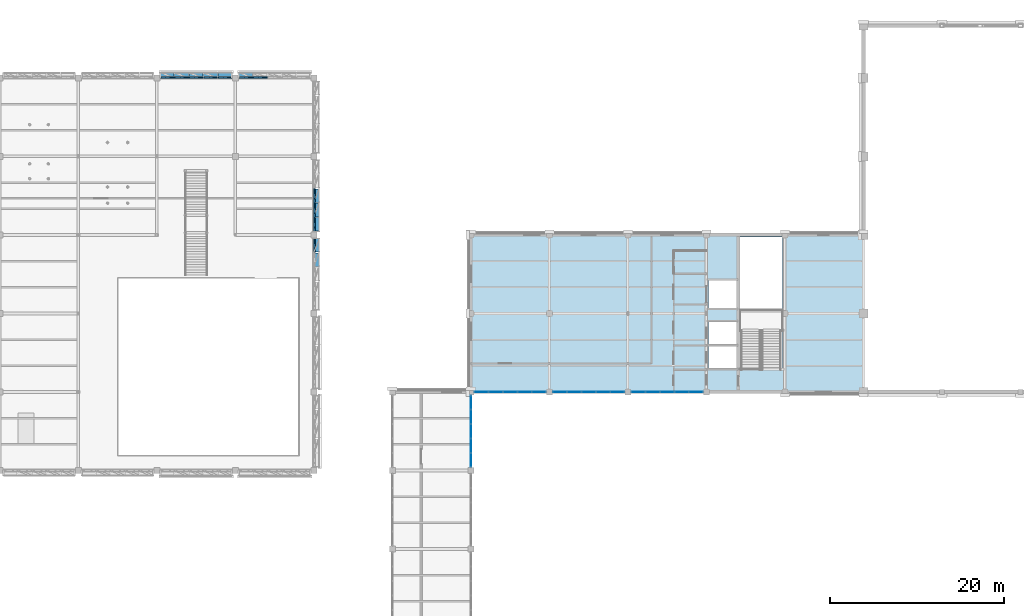
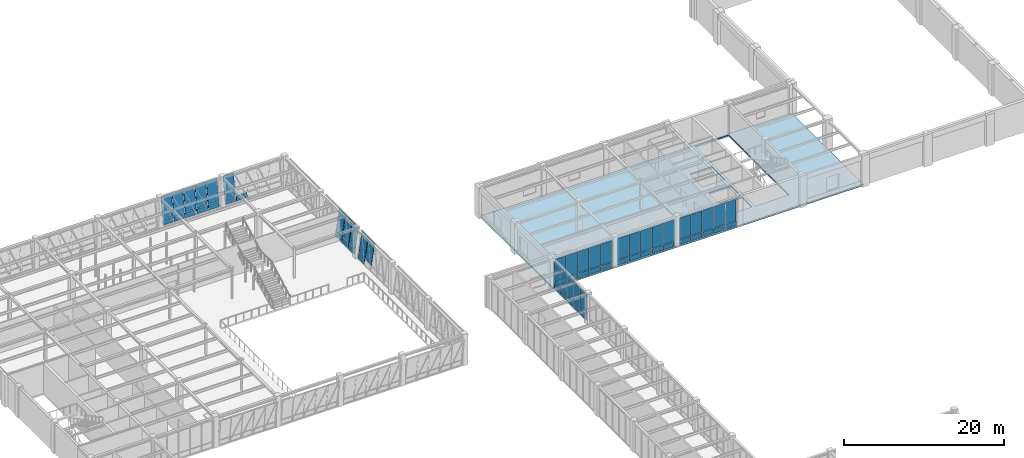
# One storey, part 74 of 92: 62 plates, 1 slab, 3 openings, 8 elements without a shape of their own.
"""IFC4 building model written with IfcOpenShell, lengths in metres."""

from ifc_helpers import new_model, si_unit, direction, frame, origin, origin_2d, place, context, subcontext, project, spatial, polyline, rectangle, outline, extrude, material, layer, layer_set, type_object, element, aggregate, save


model = new_model("IFC4")

# Units and contexts
model_context = context("Model", 3, precision=1e-05, world=origin(), true_north=direction((0.0, 1.0)))
body_context = subcontext(model_context, "Body", "Model", "MODEL_VIEW")
ifc_project = project(units=[si_unit("LENGTHUNIT", "METRE"), si_unit("AREAUNIT", "SQUARE_METRE"), si_unit("VOLUMEUNIT", "CUBIC_METRE"), si_unit("PLANEANGLEUNIT", "RADIAN"), si_unit("MASSUNIT", "GRAM", prefix="KILO")], contexts=[model_context])

# Site, building, storey
site_placement = place(None, origin())
site = spatial("IfcSite", under=ifc_project, at=site_placement, CompositionType="ELEMENT")
building_placement = place(site_placement, origin())
building = spatial("IfcBuilding", under=site, at=building_placement, Name="Lykobir Media Centre", CompositionType="ELEMENT")
storey_placement = place(building_placement, frame((0.0, 0.0, 5.39990234375)))
storey = spatial("IfcBuildingStorey", under=building, at=storey_placement, Name="L01", CompositionType="ELEMENT", Elevation=5.39990234375)

# Curtain wall, plates
ifc_material_1 = material(Name="Anodized Aluminium AW-6060", Category="aluminium")
curtain_wall_type_1 = type_object("IfcCurtainWallType", Name="CW-COURT-A", PredefinedType="NOTDEFINED", material=ifc_material_1)
curtain_wall_1_placement = place(storey_placement, origin())
curtain_wall_1 = element("IfcCurtainWall", 1, at=curtain_wall_1_placement, inside=storey, type_object=curtain_wall_type_1, Name="Curtain wall CW2-L01-0036", PredefinedType="NOTDEFINED")
ifc_material_2 = material(Name="Low-E Laminated Triple Glazing", Category="glass")
ifc_layer_1 = layer(ifc_material_2, 0.0380859375, Name="Low-E Laminated Triple Glazing")
ifc_layer_set_1 = layer_set([ifc_layer_1], Name="Low-E Laminated Triple Glazing")
plate_type_1 = type_object("IfcPlateType", Name="CWP-GLZ-38", PredefinedType="CURTAIN_PANEL", material=ifc_layer_set_1)
plate_1_placement = place(storey_placement, frame((99.0, 70.7998046875, 0.882568359375), z_axis=(0.0, 0.0, 1.0), x_axis=(0.0, -1.0, 0.0)))
plate_1 = element("IfcPlate", 2, at=plate_1_placement, type_object=plate_type_1, Name="CW2-L01-0036 panel 1.2", PredefinedType="CURTAIN_PANEL", context=body_context, shape_type="SweptSolid", body=[
    extrude(rectangle(XDim=1.560546875, YDim=0.0380859375, at=origin_2d()), origin(), (0.0, 0.0, 1.0), 3.24755859375),
])
plate_2_placement = place(storey_placement, frame((99.0, 69.157958984375, 0.882568359375), z_axis=(0.0, 0.0, 1.0), x_axis=(0.0, -1.0, 0.0)))
plate_2 = element("IfcPlate", 3, at=plate_2_placement, type_object=plate_type_1, Name="CW2-L01-0036 panel 2.2", PredefinedType="CURTAIN_PANEL", context=body_context, shape_type="SweptSolid", body=[
    extrude(rectangle(XDim=1.593017578125, YDim=0.0380859375, at=origin_2d()), origin(), (0.0, 0.0, 1.0), 3.24755859375),
])
plate_3_placement = place(storey_placement, frame((99.0, 67.5, 0.882568359375), z_axis=(0.0, 0.0, 1.0), x_axis=(0.0, -1.0, 0.0)))
plate_3 = element("IfcPlate", 4, at=plate_3_placement, type_object=plate_type_1, Name="CW2-L01-0036 panel 3.2", PredefinedType="CURTAIN_PANEL", context=body_context, shape_type="SweptSolid", body=[
    extrude(rectangle(XDim=1.593017578125, YDim=0.0380859375, at=origin_2d()), origin(), (0.0, 0.0, 1.0), 3.24755859375),
])
plate_4_placement = place(storey_placement, frame((99.0, 65.842041015625, 0.882568359375), z_axis=(0.0, 0.0, 1.0), x_axis=(0.0, -1.0, 0.0)))
plate_4 = element("IfcPlate", 5, at=plate_4_placement, type_object=plate_type_1, Name="CW2-L01-0036 panel 4.2", PredefinedType="CURTAIN_PANEL", context=body_context, shape_type="SweptSolid", body=[
    extrude(rectangle(XDim=1.593017578125, YDim=0.0380859375, at=origin_2d()), origin(), (0.0, 0.0, 1.0), 3.24755859375),
])
plate_5_placement = place(storey_placement, frame((99.0, 64.2001953125, 0.882568359375), z_axis=(0.0, 0.0, 1.0), x_axis=(0.0, -1.0, 0.0)))
plate_5 = element("IfcPlate", 6, at=plate_5_placement, type_object=plate_type_1, Name="CW2-L01-0036 panel 5.2", PredefinedType="CURTAIN_PANEL", context=body_context, shape_type="SweptSolid", body=[
    extrude(rectangle(XDim=1.560546875, YDim=0.0380859375, at=origin_2d()), origin(), (0.0, 0.0, 1.0), 3.24755859375),
])

curtain_wall_2_placement = place(storey_placement, origin())
curtain_wall_2 = element("IfcCurtainWall", 7, at=curtain_wall_2_placement, inside=storey, type_object=curtain_wall_type_1, Name="Curtain wall CW2-L01-0070", PredefinedType="NOTDEFINED")
plate_6_placement = place(storey_placement, frame((106.7998046875, 72.0, 0.882568359375), z_axis=(0.0, 0.0, 1.0), x_axis=(-1.0, 0.0, 0.0)))
plate_6 = element("IfcPlate", 8, at=plate_6_placement, type_object=plate_type_1, Name="CW2-L01-0070 panel 1.2", PredefinedType="CURTAIN_PANEL", context=body_context, shape_type="SweptSolid", body=[
    extrude(rectangle(XDim=1.560546875, YDim=0.0380859375, at=origin_2d()), origin(), (0.0, 0.0, 1.0), 3.24755859375),
])
plate_7_placement = place(storey_placement, frame((105.157958984375, 72.0, 0.882568359375), z_axis=(0.0, 0.0, 1.0), x_axis=(-1.0, 0.0, 0.0)))
plate_7 = element("IfcPlate", 9, at=plate_7_placement, type_object=plate_type_1, Name="CW2-L01-0070 panel 2.2", PredefinedType="CURTAIN_PANEL", context=body_context, shape_type="SweptSolid", body=[
    extrude(rectangle(XDim=1.593017578125, YDim=0.0380859375, at=origin_2d()), origin(), (0.0, 0.0, 1.0), 3.24755859375),
])
plate_8_placement = place(storey_placement, frame((103.5, 72.0, 0.882568359375), z_axis=(0.0, 0.0, 1.0), x_axis=(-1.0, 0.0, 0.0)))
plate_8 = element("IfcPlate", 10, at=plate_8_placement, type_object=plate_type_1, Name="CW2-L01-0070 panel 3.2", PredefinedType="CURTAIN_PANEL", context=body_context, shape_type="SweptSolid", body=[
    extrude(rectangle(XDim=1.593017578125, YDim=0.0380859375, at=origin_2d()), origin(), (0.0, 0.0, 1.0), 3.24755859375),
])
plate_9_placement = place(storey_placement, frame((101.842041015625, 72.0, 0.882568359375), z_axis=(0.0, 0.0, 1.0), x_axis=(-1.0, 0.0, 0.0)))
plate_9 = element("IfcPlate", 11, at=plate_9_placement, type_object=plate_type_1, Name="CW2-L01-0070 panel 4.2", PredefinedType="CURTAIN_PANEL", context=body_context, shape_type="SweptSolid", body=[
    extrude(rectangle(XDim=1.593017578125, YDim=0.0380859375, at=origin_2d()), origin(), (0.0, 0.0, 1.0), 3.24755859375),
])
plate_10_placement = place(storey_placement, frame((100.2001953125, 72.0, 0.882568359375), z_axis=(0.0, 0.0, 1.0), x_axis=(-1.0, 0.0, 0.0)))
plate_10 = element("IfcPlate", 12, at=plate_10_placement, type_object=plate_type_1, Name="CW2-L01-0070 panel 5.2", PredefinedType="CURTAIN_PANEL", context=body_context, shape_type="SweptSolid", body=[
    extrude(rectangle(XDim=1.560546875, YDim=0.0380859375, at=origin_2d()), origin(), (0.0, 0.0, 1.0), 3.24755859375),
])

curtain_wall_3_placement = place(storey_placement, origin())
curtain_wall_3 = element("IfcCurtainWall", 13, at=curtain_wall_3_placement, inside=storey, type_object=curtain_wall_type_1, Name="Curtain wall CW2-L01-0071", PredefinedType="NOTDEFINED")
plate_11_placement = place(storey_placement, frame((115.7998046875, 72.0, 0.882568359375), z_axis=(0.0, 0.0, 1.0), x_axis=(-1.0, 0.0, 0.0)))
plate_11 = element("IfcPlate", 14, at=plate_11_placement, type_object=plate_type_1, Name="CW2-L01-0071 panel 1.2", PredefinedType="CURTAIN_PANEL", context=body_context, shape_type="SweptSolid", body=[
    extrude(rectangle(XDim=1.560546875, YDim=0.0380859375, at=origin_2d()), origin(), (0.0, 0.0, 1.0), 3.24755859375),
])
plate_12_placement = place(storey_placement, frame((114.157958984375, 72.0, 0.882568359375), z_axis=(0.0, 0.0, 1.0), x_axis=(-1.0, 0.0, 0.0)))
plate_12 = element("IfcPlate", 15, at=plate_12_placement, type_object=plate_type_1, Name="CW2-L01-0071 panel 2.2", PredefinedType="CURTAIN_PANEL", context=body_context, shape_type="SweptSolid", body=[
    extrude(rectangle(XDim=1.593017578125, YDim=0.0380859375, at=origin_2d()), origin(), (0.0, 0.0, 1.0), 3.24755859375),
])
plate_13_placement = place(storey_placement, frame((112.5, 72.0, 0.882568359375), z_axis=(0.0, 0.0, 1.0), x_axis=(-1.0, 0.0, 0.0)))
plate_13 = element("IfcPlate", 16, at=plate_13_placement, type_object=plate_type_1, Name="CW2-L01-0071 panel 3.2", PredefinedType="CURTAIN_PANEL", context=body_context, shape_type="SweptSolid", body=[
    extrude(rectangle(XDim=1.593017578125, YDim=0.0380859375, at=origin_2d()), origin(), (0.0, 0.0, 1.0), 3.24755859375),
])
plate_14_placement = place(storey_placement, frame((110.842041015625, 72.0, 0.882568359375), z_axis=(0.0, 0.0, 1.0), x_axis=(-1.0, 0.0, 0.0)))
plate_14 = element("IfcPlate", 17, at=plate_14_placement, type_object=plate_type_1, Name="CW2-L01-0071 panel 4.2", PredefinedType="CURTAIN_PANEL", context=body_context, shape_type="SweptSolid", body=[
    extrude(rectangle(XDim=1.593017578125, YDim=0.0380859375, at=origin_2d()), origin(), (0.0, 0.0, 1.0), 3.24755859375),
])
plate_15_placement = place(storey_placement, frame((109.2001953125, 72.0, 0.882568359375), z_axis=(0.0, 0.0, 1.0), x_axis=(-1.0, 0.0, 0.0)))
plate_15 = element("IfcPlate", 18, at=plate_15_placement, type_object=plate_type_1, Name="CW2-L01-0071 panel 5.2", PredefinedType="CURTAIN_PANEL", context=body_context, shape_type="SweptSolid", body=[
    extrude(rectangle(XDim=1.560546875, YDim=0.0380859375, at=origin_2d()), origin(), (0.0, 0.0, 1.0), 3.24755859375),
])

curtain_wall_4_placement = place(storey_placement, origin())
curtain_wall_4 = element("IfcCurtainWall", 19, at=curtain_wall_4_placement, inside=storey, type_object=curtain_wall_type_1, Name="Curtain wall CW2-L01-0072", PredefinedType="NOTDEFINED")
plate_16_placement = place(storey_placement, frame((124.7998046875, 72.0, 0.882568359375), z_axis=(0.0, 0.0, 1.0), x_axis=(-1.0, 0.0, 0.0)))
plate_16 = element("IfcPlate", 20, at=plate_16_placement, type_object=plate_type_1, Name="CW2-L01-0072 panel 1.2", PredefinedType="CURTAIN_PANEL", context=body_context, shape_type="SweptSolid", body=[
    extrude(rectangle(XDim=1.560546875, YDim=0.0380859375, at=origin_2d()), origin(), (0.0, 0.0, 1.0), 3.24755859375),
])
plate_17_placement = place(storey_placement, frame((123.157958984375, 72.0, 0.882568359375), z_axis=(0.0, 0.0, 1.0), x_axis=(-1.0, 0.0, 0.0)))
plate_17 = element("IfcPlate", 21, at=plate_17_placement, type_object=plate_type_1, Name="CW2-L01-0072 panel 2.2", PredefinedType="CURTAIN_PANEL", context=body_context, shape_type="SweptSolid", body=[
    extrude(rectangle(XDim=1.593017578125, YDim=0.0380859375, at=origin_2d()), origin(), (0.0, 0.0, 1.0), 3.24755859375),
])
plate_18_placement = place(storey_placement, frame((121.5, 72.0, 0.882568359375), z_axis=(0.0, 0.0, 1.0), x_axis=(-1.0, 0.0, 0.0)))
plate_18 = element("IfcPlate", 22, at=plate_18_placement, type_object=plate_type_1, Name="CW2-L01-0072 panel 3.2", PredefinedType="CURTAIN_PANEL", context=body_context, shape_type="SweptSolid", body=[
    extrude(rectangle(XDim=1.593017578125, YDim=0.0380859375, at=origin_2d()), origin(), (0.0, 0.0, 1.0), 3.24755859375),
])
plate_19_placement = place(storey_placement, frame((119.842041015625, 72.0, 0.882568359375), z_axis=(0.0, 0.0, 1.0), x_axis=(-1.0, 0.0, 0.0)))
plate_19 = element("IfcPlate", 23, at=plate_19_placement, type_object=plate_type_1, Name="CW2-L01-0072 panel 4.2", PredefinedType="CURTAIN_PANEL", context=body_context, shape_type="SweptSolid", body=[
    extrude(rectangle(XDim=1.593017578125, YDim=0.0380859375, at=origin_2d()), origin(), (0.0, 0.0, 1.0), 3.24755859375),
])
plate_20_placement = place(storey_placement, frame((118.2001953125, 72.0, 0.882568359375), z_axis=(0.0, 0.0, 1.0), x_axis=(-1.0, 0.0, 0.0)))
plate_20 = element("IfcPlate", 24, at=plate_20_placement, type_object=plate_type_1, Name="CW2-L01-0072 panel 5.2", PredefinedType="CURTAIN_PANEL", context=body_context, shape_type="SweptSolid", body=[
    extrude(rectangle(XDim=1.560546875, YDim=0.0380859375, at=origin_2d()), origin(), (0.0, 0.0, 1.0), 3.24755859375),
])

curtain_wall_type_2 = type_object("IfcCurtainWallType", Name="CW-V6-CR1", PredefinedType="NOTDEFINED", material=ifc_material_1)
curtain_wall_5_placement = place(storey_placement, origin())
curtain_wall_5 = element("IfcCurtainWall", 25, at=curtain_wall_5_placement, inside=storey, type_object=curtain_wall_type_2, Name="Curtain wall CW2-L01-0060", PredefinedType="NOTDEFINED")
ifc_layer_2 = layer(ifc_material_2, 0.0439453125, Name="Low-E Laminated Triple Glazing")
ifc_layer_set_2 = layer_set([ifc_layer_2], Name="Low-E Laminated Triple Glazing")
plate_type_2 = type_object("IfcPlateType", Name="CWP-GLZ-44", PredefinedType="CURTAIN_PANEL", material=ifc_layer_set_2)
plate_21_placement = place(storey_placement, frame((81.126708984375, 87.157958984375, 0.87841796875), z_axis=(0.142628933706, 0.0, 0.989776230908), x_axis=(0.0, 1.0, 0.0)))
plate_21 = element("IfcPlate", 26, at=plate_21_placement, type_object=plate_type_2, Name="CW2-L01-0060 panel 4.2", PredefinedType="CURTAIN_PANEL", context=body_context, shape_type="SweptSolid", body=[
    extrude(rectangle(XDim=1.5830078125, YDim=0.0439453125, at=origin_2d()), origin(), (0.0, 0.0, 1.0), 3.27587890625),
])
plate_22_placement = place(storey_placement, frame((81.126708984375, 88.797119140625, 0.87841796875), z_axis=(0.142628933706, 0.0, 0.989776230908), x_axis=(0.0, 1.0, 0.0)))
plate_22 = element("IfcPlate", 27, at=plate_22_placement, type_object=plate_type_2, Name="CW2-L01-0060 panel 5.2", PredefinedType="CURTAIN_PANEL", context=body_context, shape_type="SweptSolid", body=[
    extrude(rectangle(XDim=1.54541015625, YDim=0.0439453125, at=origin_2d()), origin(), (0.0, 0.0, 1.0), 3.27587890625),
])

curtain_wall_6_placement = place(storey_placement, origin())
curtain_wall_6 = element("IfcCurtainWall", 28, at=curtain_wall_6_placement, inside=storey, type_object=curtain_wall_type_2, Name="Curtain wall CW2-L01-0061", PredefinedType="NOTDEFINED")
plate_23_placement = place(storey_placement, frame((81.126708984375, 91.202880859375, 0.87841796875), z_axis=(0.142628933706, 0.0, 0.989776230908), x_axis=(0.0, 1.0, 0.0)))
plate_23 = element("IfcPlate", 29, at=plate_23_placement, type_object=plate_type_2, Name="CW2-L01-0061 panel 1.2", PredefinedType="CURTAIN_PANEL", context=body_context, shape_type="SweptSolid", body=[
    extrude(rectangle(XDim=1.54541015625, YDim=0.0439453125, at=origin_2d()), origin(), (0.0, 0.0, 1.0), 3.27587890625),
])
plate_24_placement = place(storey_placement, frame((81.126708984375, 92.842041015625, 0.87841796875), z_axis=(0.142628933706, 0.0, 0.989776230908), x_axis=(0.0, 1.0, 0.0)))
plate_24 = element("IfcPlate", 30, at=plate_24_placement, type_object=plate_type_2, Name="CW2-L01-0061 panel 2.2", PredefinedType="CURTAIN_PANEL", context=body_context, shape_type="SweptSolid", body=[
    extrude(rectangle(XDim=1.5830078125, YDim=0.0439453125, at=origin_2d()), origin(), (0.0, 0.0, 1.0), 3.27587890625),
])
plate_25_placement = place(storey_placement, frame((81.126708984375, 94.5, 0.87841796875), z_axis=(0.142628933706, 0.0, 0.989776230908), x_axis=(0.0, 1.0, 0.0)))
plate_25 = element("IfcPlate", 31, at=plate_25_placement, type_object=plate_type_2, Name="CW2-L01-0061 panel 3.2", PredefinedType="CURTAIN_PANEL", context=body_context, shape_type="SweptSolid", body=[
    extrude(rectangle(XDim=1.5830078125, YDim=0.0439453125, at=origin_2d()), origin(), (0.0, 0.0, 1.0), 3.27587890625),
])

curtain_wall_7_placement = place(storey_placement, origin())
curtain_wall_7 = element("IfcCurtainWall", 32, at=curtain_wall_7_placement, inside=storey, type_object=curtain_wall_type_2, Name="Curtain wall CW2-L01-0066", PredefinedType="NOTDEFINED")
plate_26_placement = place(storey_placement, frame((70.797119140625, 108.126708984375, 0.87841796875), z_axis=(0.0, 0.142628933706, 0.989776230908), x_axis=(-1.0, 0.0, 0.0)))
plate_26 = element("IfcPlate", 33, at=plate_26_placement, type_object=plate_type_2, Name="CW2-L01-0066 panel 1.2", PredefinedType="CURTAIN_PANEL", context=body_context, shape_type="SweptSolid", body=[
    extrude(rectangle(XDim=1.54541015625, YDim=0.0439453125, at=origin_2d()), origin(), (0.0, 0.0, 1.0), 3.27587890625),
])
plate_27_placement = place(storey_placement, frame((69.157958984375, 108.126708984375, 0.87841796875), z_axis=(0.0, 0.142628933706, 0.989776230908), x_axis=(-1.0, 0.0, 0.0)))
plate_27 = element("IfcPlate", 34, at=plate_27_placement, type_object=plate_type_2, Name="CW2-L01-0066 panel 2.2", PredefinedType="CURTAIN_PANEL", context=body_context, shape_type="SweptSolid", body=[
    extrude(rectangle(XDim=1.5830078125, YDim=0.0439453125, at=origin_2d()), origin(), (0.0, 0.0, 1.0), 3.27587890625),
])
plate_28_placement = place(storey_placement, frame((67.5, 108.126708984375, 0.87841796875), z_axis=(0.0, 0.142628933706, 0.989776230908), x_axis=(-1.0, 0.0, 0.0)))
plate_28 = element("IfcPlate", 35, at=plate_28_placement, type_object=plate_type_2, Name="CW2-L01-0066 panel 3.2", PredefinedType="CURTAIN_PANEL", context=body_context, shape_type="SweptSolid", body=[
    extrude(rectangle(XDim=1.5830078125, YDim=0.0439453125, at=origin_2d()), origin(), (0.0, 0.0, 1.0), 3.27587890625),
])
plate_29_placement = place(storey_placement, frame((65.842041015625, 108.126708984375, 0.87841796875), z_axis=(0.0, 0.142628933706, 0.989776230908), x_axis=(-1.0, 0.0, 0.0)))
plate_29 = element("IfcPlate", 36, at=plate_29_placement, type_object=plate_type_2, Name="CW2-L01-0066 panel 4.2", PredefinedType="CURTAIN_PANEL", context=body_context, shape_type="SweptSolid", body=[
    extrude(rectangle(XDim=1.5830078125, YDim=0.0439453125, at=origin_2d()), origin(), (0.0, 0.0, 1.0), 3.27587890625),
])
plate_30_placement = place(storey_placement, frame((64.20263671875, 108.126708984375, 0.87841796875), z_axis=(0.0, 0.142628933706, 0.989776230908), x_axis=(-1.0, 0.0, 0.0)))
plate_30 = element("IfcPlate", 37, at=plate_30_placement, type_object=plate_type_2, Name="CW2-L01-0066 panel 5.2", PredefinedType="CURTAIN_PANEL", context=body_context, shape_type="SweptSolid", body=[
    extrude(rectangle(XDim=1.54541015625, YDim=0.0439453125, at=origin_2d()), origin(), (0.0, 0.0, 1.0), 3.27587890625),
])

# Curtain wall, plate
curtain_wall_8_placement = place(storey_placement, origin())
curtain_wall_8 = element("IfcCurtainWall", 38, at=curtain_wall_8_placement, inside=storey, type_object=curtain_wall_type_2, Name="Curtain wall CW2-L01-0067", PredefinedType="NOTDEFINED")
plate_31_placement = place(storey_placement, frame((73.202880859375, 108.126708984375, 0.87841796875), z_axis=(0.0, 0.142628933706, 0.989776230908), x_axis=(-1.0, 0.0, 0.0)))
plate_31 = element("IfcPlate", 39, at=plate_31_placement, type_object=plate_type_2, Name="CW2-L01-0067 panel 5.2", PredefinedType="CURTAIN_PANEL", context=body_context, shape_type="SweptSolid", body=[
    extrude(rectangle(XDim=1.54541015625, YDim=0.0439453125, at=origin_2d()), origin(), (0.0, 0.0, 1.0), 3.27587890625),
])

# Plate
ifc_material_3 = material(Name="Glazed Turquoise Terracotta", Category="masonry")
ifc_layer_3 = layer(ifc_material_3, 0.06005859375, Name="Glazed Turquoise Terracotta")
ifc_layer_set_3 = layer_set([ifc_layer_3], Name="Glazed Turquoise Terracotta")
plate_type_3 = type_object("IfcPlateType", Name="CWP-SPN-60", PredefinedType="CURTAIN_PANEL", material=ifc_layer_set_3)
plate_32_placement = place(storey_placement, frame((99.0, 70.7998046875, 0.065185546875), z_axis=(0.0, 0.0, 1.0), x_axis=(0.0, -1.0, 0.0)))
plate_32 = element("IfcPlate", 40, at=plate_32_placement, type_object=plate_type_3, Name="CW2-L01-0036 panel 1.1", PredefinedType="CURTAIN_PANEL", context=body_context, shape_type="SweptSolid", body=[
    extrude(rectangle(XDim=1.560546875, YDim=0.06005859375, at=origin_2d()), origin(), (0.0, 0.0, 1.0), 0.75244140625),
])

plate_33_placement = place(storey_placement, frame((99.0, 69.157958984375, 0.065185546875), z_axis=(0.0, 0.0, 1.0), x_axis=(0.0, -1.0, 0.0)))
plate_33 = element("IfcPlate", 41, at=plate_33_placement, type_object=plate_type_3, Name="CW2-L01-0036 panel 2.1", PredefinedType="CURTAIN_PANEL", context=body_context, shape_type="SweptSolid", body=[
    extrude(rectangle(XDim=1.593017578125, YDim=0.06005859375, at=origin_2d()), origin(), (0.0, 0.0, 1.0), 0.75244140625),
])

plate_34_placement = place(storey_placement, frame((99.0, 67.5, 0.065185546875), z_axis=(0.0, 0.0, 1.0), x_axis=(0.0, -1.0, 0.0)))
plate_34 = element("IfcPlate", 42, at=plate_34_placement, type_object=plate_type_3, Name="CW2-L01-0036 panel 3.1", PredefinedType="CURTAIN_PANEL", context=body_context, shape_type="SweptSolid", body=[
    extrude(rectangle(XDim=1.593017578125, YDim=0.06005859375, at=origin_2d()), origin(), (0.0, 0.0, 1.0), 0.75244140625),
])

plate_35_placement = place(storey_placement, frame((99.0, 65.842041015625, 0.065185546875), z_axis=(0.0, 0.0, 1.0), x_axis=(0.0, -1.0, 0.0)))
plate_35 = element("IfcPlate", 43, at=plate_35_placement, type_object=plate_type_3, Name="CW2-L01-0036 panel 4.1", PredefinedType="CURTAIN_PANEL", context=body_context, shape_type="SweptSolid", body=[
    extrude(rectangle(XDim=1.593017578125, YDim=0.06005859375, at=origin_2d()), origin(), (0.0, 0.0, 1.0), 0.75244140625),
])

plate_36_placement = place(storey_placement, frame((99.0, 64.2001953125, 0.065185546875), z_axis=(0.0, 0.0, 1.0), x_axis=(0.0, -1.0, 0.0)))
plate_36 = element("IfcPlate", 44, at=plate_36_placement, type_object=plate_type_3, Name="CW2-L01-0036 panel 5.1", PredefinedType="CURTAIN_PANEL", context=body_context, shape_type="SweptSolid", body=[
    extrude(rectangle(XDim=1.560546875, YDim=0.06005859375, at=origin_2d()), origin(), (0.0, 0.0, 1.0), 0.75244140625),
])

aggregate(curtain_wall_1, [plate_32, plate_1, plate_33, plate_2, plate_34, plate_3, plate_35, plate_4, plate_36, plate_5])

plate_37_placement = place(storey_placement, frame((81.0107421875, 88.797119140625, 0.07421875), z_axis=(0.142628933706, 0.0, 0.989776230908), x_axis=(0.0, 1.0, 0.0)))
plate_37 = element("IfcPlate", 45, at=plate_37_placement, type_object=plate_type_3, Name="CW2-L01-0060 panel 5.1", PredefinedType="CURTAIN_PANEL", context=body_context, shape_type="SweptSolid", body=[
    extrude(rectangle(XDim=1.54541015625, YDim=0.06005859375, at=origin_2d()), origin(), (0.0, 0.0, 1.0), 0.737548828125),
])

aggregate(curtain_wall_5, [plate_21, plate_37, plate_22])

plate_38_placement = place(storey_placement, frame((81.0107421875, 91.202880859375, 0.07421875), z_axis=(0.142628933706, 0.0, 0.989776230908), x_axis=(0.0, 1.0, 0.0)))
plate_38 = element("IfcPlate", 46, at=plate_38_placement, type_object=plate_type_3, Name="CW2-L01-0061 panel 1.1", PredefinedType="CURTAIN_PANEL", context=body_context, shape_type="SweptSolid", body=[
    extrude(rectangle(XDim=1.54541015625, YDim=0.06005859375, at=origin_2d()), origin(), (0.0, 0.0, 1.0), 0.737548828125),
])

plate_39_placement = place(storey_placement, frame((81.0107421875, 92.842041015625, 0.07421875), z_axis=(0.142628933706, 0.0, 0.989776230908), x_axis=(0.0, 1.0, 0.0)))
plate_39 = element("IfcPlate", 47, at=plate_39_placement, type_object=plate_type_3, Name="CW2-L01-0061 panel 2.1", PredefinedType="CURTAIN_PANEL", context=body_context, shape_type="SweptSolid", body=[
    extrude(rectangle(XDim=1.5830078125, YDim=0.06005859375, at=origin_2d()), origin(), (0.0, 0.0, 1.0), 0.737548828125),
])

plate_40_placement = place(storey_placement, frame((81.0107421875, 94.5, 0.07421875), z_axis=(0.142628933706, 0.0, 0.989776230908), x_axis=(0.0, 1.0, 0.0)))
plate_40 = element("IfcPlate", 48, at=plate_40_placement, type_object=plate_type_3, Name="CW2-L01-0061 panel 3.1", PredefinedType="CURTAIN_PANEL", context=body_context, shape_type="SweptSolid", body=[
    extrude(rectangle(XDim=1.5830078125, YDim=0.06005859375, at=origin_2d()), origin(), (0.0, 0.0, 1.0), 0.737548828125),
])

aggregate(curtain_wall_6, [plate_38, plate_23, plate_39, plate_24, plate_40, plate_25])

plate_41_placement = place(storey_placement, frame((70.797119140625, 108.0107421875, 0.07421875), z_axis=(0.0, 0.142628933706, 0.989776230908), x_axis=(-1.0, 0.0, 0.0)))
plate_41 = element("IfcPlate", 49, at=plate_41_placement, type_object=plate_type_3, Name="CW2-L01-0066 panel 1.1", PredefinedType="CURTAIN_PANEL", context=body_context, shape_type="SweptSolid", body=[
    extrude(rectangle(XDim=1.54541015625, YDim=0.06005859375, at=origin_2d()), origin(), (0.0, 0.0, 1.0), 0.737548828125),
])

plate_42_placement = place(storey_placement, frame((69.157958984375, 108.0107421875, 0.07421875), z_axis=(0.0, 0.142628933706, 0.989776230908), x_axis=(-1.0, 0.0, 0.0)))
plate_42 = element("IfcPlate", 50, at=plate_42_placement, type_object=plate_type_3, Name="CW2-L01-0066 panel 2.1", PredefinedType="CURTAIN_PANEL", context=body_context, shape_type="SweptSolid", body=[
    extrude(rectangle(XDim=1.5830078125, YDim=0.06005859375, at=origin_2d()), origin(), (0.0, 0.0, 1.0), 0.737548828125),
])

plate_43_placement = place(storey_placement, frame((67.5, 108.0107421875, 0.07421875), z_axis=(0.0, 0.142628933706, 0.989776230908), x_axis=(-1.0, 0.0, 0.0)))
plate_43 = element("IfcPlate", 51, at=plate_43_placement, type_object=plate_type_3, Name="CW2-L01-0066 panel 3.1", PredefinedType="CURTAIN_PANEL", context=body_context, shape_type="SweptSolid", body=[
    extrude(rectangle(XDim=1.5830078125, YDim=0.06005859375, at=origin_2d()), origin(), (0.0, 0.0, 1.0), 0.737548828125),
])

plate_44_placement = place(storey_placement, frame((65.842041015625, 108.0107421875, 0.07421875), z_axis=(0.0, 0.142628933706, 0.989776230908), x_axis=(-1.0, 0.0, 0.0)))
plate_44 = element("IfcPlate", 52, at=plate_44_placement, type_object=plate_type_3, Name="CW2-L01-0066 panel 4.1", PredefinedType="CURTAIN_PANEL", context=body_context, shape_type="SweptSolid", body=[
    extrude(rectangle(XDim=1.5830078125, YDim=0.06005859375, at=origin_2d()), origin(), (0.0, 0.0, 1.0), 0.737548828125),
])

plate_45_placement = place(storey_placement, frame((64.20263671875, 108.0107421875, 0.07421875), z_axis=(0.0, 0.142628933706, 0.989776230908), x_axis=(-1.0, 0.0, 0.0)))
plate_45 = element("IfcPlate", 53, at=plate_45_placement, type_object=plate_type_3, Name="CW2-L01-0066 panel 5.1", PredefinedType="CURTAIN_PANEL", context=body_context, shape_type="SweptSolid", body=[
    extrude(rectangle(XDim=1.54541015625, YDim=0.06005859375, at=origin_2d()), origin(), (0.0, 0.0, 1.0), 0.737548828125),
])

aggregate(curtain_wall_7, [plate_41, plate_26, plate_42, plate_27, plate_43, plate_28, plate_44, plate_29, plate_45, plate_30])

plate_46_placement = place(storey_placement, frame((74.842041015625, 108.0107421875, 0.07421875), z_axis=(0.0, 0.142628933706, 0.989776230908), x_axis=(-1.0, 0.0, 0.0)))
plate_46 = element("IfcPlate", 54, at=plate_46_placement, type_object=plate_type_3, Name="CW2-L01-0067 panel 4.1", PredefinedType="CURTAIN_PANEL", context=body_context, shape_type="SweptSolid", body=[
    extrude(rectangle(XDim=1.5830078125, YDim=0.06005859375, at=origin_2d()), origin(), (0.0, 0.0, 1.0), 0.737548828125),
])

plate_47_placement = place(storey_placement, frame((73.202880859375, 108.0107421875, 0.07421875), z_axis=(0.0, 0.142628933706, 0.989776230908), x_axis=(-1.0, 0.0, 0.0)))
plate_47 = element("IfcPlate", 55, at=plate_47_placement, type_object=plate_type_3, Name="CW2-L01-0067 panel 5.1", PredefinedType="CURTAIN_PANEL", context=body_context, shape_type="SweptSolid", body=[
    extrude(rectangle(XDim=1.54541015625, YDim=0.06005859375, at=origin_2d()), origin(), (0.0, 0.0, 1.0), 0.737548828125),
])

aggregate(curtain_wall_8, [plate_46, plate_47, plate_31])

plate_48_placement = place(storey_placement, frame((106.7998046875, 72.0, 0.065185546875), z_axis=(0.0, 0.0, 1.0), x_axis=(-1.0, 0.0, 0.0)))
plate_48 = element("IfcPlate", 56, at=plate_48_placement, type_object=plate_type_3, Name="CW2-L01-0070 panel 1.1", PredefinedType="CURTAIN_PANEL", context=body_context, shape_type="SweptSolid", body=[
    extrude(rectangle(XDim=1.560546875, YDim=0.06005859375, at=origin_2d()), origin(), (0.0, 0.0, 1.0), 0.75244140625),
])

plate_49_placement = place(storey_placement, frame((105.157958984375, 72.0, 0.065185546875), z_axis=(0.0, 0.0, 1.0), x_axis=(-1.0, 0.0, 0.0)))
plate_49 = element("IfcPlate", 57, at=plate_49_placement, type_object=plate_type_3, Name="CW2-L01-0070 panel 2.1", PredefinedType="CURTAIN_PANEL", context=body_context, shape_type="SweptSolid", body=[
    extrude(rectangle(XDim=1.593017578125, YDim=0.06005859375, at=origin_2d()), origin(), (0.0, 0.0, 1.0), 0.75244140625),
])

plate_50_placement = place(storey_placement, frame((103.5, 72.0, 0.065185546875), z_axis=(0.0, 0.0, 1.0), x_axis=(-1.0, 0.0, 0.0)))
plate_50 = element("IfcPlate", 58, at=plate_50_placement, type_object=plate_type_3, Name="CW2-L01-0070 panel 3.1", PredefinedType="CURTAIN_PANEL", context=body_context, shape_type="SweptSolid", body=[
    extrude(rectangle(XDim=1.593017578125, YDim=0.06005859375, at=origin_2d()), origin(), (0.0, 0.0, 1.0), 0.75244140625),
])

plate_51_placement = place(storey_placement, frame((101.842041015625, 72.0, 0.065185546875), z_axis=(0.0, 0.0, 1.0), x_axis=(-1.0, 0.0, 0.0)))
plate_51 = element("IfcPlate", 59, at=plate_51_placement, type_object=plate_type_3, Name="CW2-L01-0070 panel 4.1", PredefinedType="CURTAIN_PANEL", context=body_context, shape_type="SweptSolid", body=[
    extrude(rectangle(XDim=1.593017578125, YDim=0.06005859375, at=origin_2d()), origin(), (0.0, 0.0, 1.0), 0.75244140625),
])

plate_52_placement = place(storey_placement, frame((100.2001953125, 72.0, 0.065185546875), z_axis=(0.0, 0.0, 1.0), x_axis=(-1.0, 0.0, 0.0)))
plate_52 = element("IfcPlate", 60, at=plate_52_placement, type_object=plate_type_3, Name="CW2-L01-0070 panel 5.1", PredefinedType="CURTAIN_PANEL", context=body_context, shape_type="SweptSolid", body=[
    extrude(rectangle(XDim=1.560546875, YDim=0.06005859375, at=origin_2d()), origin(), (0.0, 0.0, 1.0), 0.75244140625),
])

aggregate(curtain_wall_2, [plate_48, plate_6, plate_49, plate_7, plate_50, plate_8, plate_51, plate_9, plate_52, plate_10])

plate_53_placement = place(storey_placement, frame((115.7998046875, 72.0, 0.065185546875), z_axis=(0.0, 0.0, 1.0), x_axis=(-1.0, 0.0, 0.0)))
plate_53 = element("IfcPlate", 61, at=plate_53_placement, type_object=plate_type_3, Name="CW2-L01-0071 panel 1.1", PredefinedType="CURTAIN_PANEL", context=body_context, shape_type="SweptSolid", body=[
    extrude(rectangle(XDim=1.560546875, YDim=0.06005859375, at=origin_2d()), origin(), (0.0, 0.0, 1.0), 0.75244140625),
])

plate_54_placement = place(storey_placement, frame((114.157958984375, 72.0, 0.065185546875), z_axis=(0.0, 0.0, 1.0), x_axis=(-1.0, 0.0, 0.0)))
plate_54 = element("IfcPlate", 62, at=plate_54_placement, type_object=plate_type_3, Name="CW2-L01-0071 panel 2.1", PredefinedType="CURTAIN_PANEL", context=body_context, shape_type="SweptSolid", body=[
    extrude(rectangle(XDim=1.593017578125, YDim=0.06005859375, at=origin_2d()), origin(), (0.0, 0.0, 1.0), 0.75244140625),
])

plate_55_placement = place(storey_placement, frame((112.5, 72.0, 0.065185546875), z_axis=(0.0, 0.0, 1.0), x_axis=(-1.0, 0.0, 0.0)))
plate_55 = element("IfcPlate", 63, at=plate_55_placement, type_object=plate_type_3, Name="CW2-L01-0071 panel 3.1", PredefinedType="CURTAIN_PANEL", context=body_context, shape_type="SweptSolid", body=[
    extrude(rectangle(XDim=1.593017578125, YDim=0.06005859375, at=origin_2d()), origin(), (0.0, 0.0, 1.0), 0.75244140625),
])

plate_56_placement = place(storey_placement, frame((110.842041015625, 72.0, 0.065185546875), z_axis=(0.0, 0.0, 1.0), x_axis=(-1.0, 0.0, 0.0)))
plate_56 = element("IfcPlate", 64, at=plate_56_placement, type_object=plate_type_3, Name="CW2-L01-0071 panel 4.1", PredefinedType="CURTAIN_PANEL", context=body_context, shape_type="SweptSolid", body=[
    extrude(rectangle(XDim=1.593017578125, YDim=0.06005859375, at=origin_2d()), origin(), (0.0, 0.0, 1.0), 0.75244140625),
])

plate_57_placement = place(storey_placement, frame((109.2001953125, 72.0, 0.065185546875), z_axis=(0.0, 0.0, 1.0), x_axis=(-1.0, 0.0, 0.0)))
plate_57 = element("IfcPlate", 65, at=plate_57_placement, type_object=plate_type_3, Name="CW2-L01-0071 panel 5.1", PredefinedType="CURTAIN_PANEL", context=body_context, shape_type="SweptSolid", body=[
    extrude(rectangle(XDim=1.560546875, YDim=0.06005859375, at=origin_2d()), origin(), (0.0, 0.0, 1.0), 0.75244140625),
])

aggregate(curtain_wall_3, [plate_53, plate_11, plate_54, plate_12, plate_55, plate_13, plate_56, plate_14, plate_57, plate_15])

plate_58_placement = place(storey_placement, frame((124.7998046875, 72.0, 0.065185546875), z_axis=(0.0, 0.0, 1.0), x_axis=(-1.0, 0.0, 0.0)))
plate_58 = element("IfcPlate", 66, at=plate_58_placement, type_object=plate_type_3, Name="CW2-L01-0072 panel 1.1", PredefinedType="CURTAIN_PANEL", context=body_context, shape_type="SweptSolid", body=[
    extrude(rectangle(XDim=1.560546875, YDim=0.06005859375, at=origin_2d()), origin(), (0.0, 0.0, 1.0), 0.75244140625),
])

plate_59_placement = place(storey_placement, frame((123.157958984375, 72.0, 0.065185546875), z_axis=(0.0, 0.0, 1.0), x_axis=(-1.0, 0.0, 0.0)))
plate_59 = element("IfcPlate", 67, at=plate_59_placement, type_object=plate_type_3, Name="CW2-L01-0072 panel 2.1", PredefinedType="CURTAIN_PANEL", context=body_context, shape_type="SweptSolid", body=[
    extrude(rectangle(XDim=1.593017578125, YDim=0.06005859375, at=origin_2d()), origin(), (0.0, 0.0, 1.0), 0.75244140625),
])

plate_60_placement = place(storey_placement, frame((121.5, 72.0, 0.065185546875), z_axis=(0.0, 0.0, 1.0), x_axis=(-1.0, 0.0, 0.0)))
plate_60 = element("IfcPlate", 68, at=plate_60_placement, type_object=plate_type_3, Name="CW2-L01-0072 panel 3.1", PredefinedType="CURTAIN_PANEL", context=body_context, shape_type="SweptSolid", body=[
    extrude(rectangle(XDim=1.593017578125, YDim=0.06005859375, at=origin_2d()), origin(), (0.0, 0.0, 1.0), 0.75244140625),
])

plate_61_placement = place(storey_placement, frame((119.842041015625, 72.0, 0.065185546875), z_axis=(0.0, 0.0, 1.0), x_axis=(-1.0, 0.0, 0.0)))
plate_61 = element("IfcPlate", 69, at=plate_61_placement, type_object=plate_type_3, Name="CW2-L01-0072 panel 4.1", PredefinedType="CURTAIN_PANEL", context=body_context, shape_type="SweptSolid", body=[
    extrude(rectangle(XDim=1.593017578125, YDim=0.06005859375, at=origin_2d()), origin(), (0.0, 0.0, 1.0), 0.75244140625),
])

plate_62_placement = place(storey_placement, frame((118.2001953125, 72.0, 0.065185546875), z_axis=(0.0, 0.0, 1.0), x_axis=(-1.0, 0.0, 0.0)))
plate_62 = element("IfcPlate", 70, at=plate_62_placement, type_object=plate_type_3, Name="CW2-L01-0072 panel 5.1", PredefinedType="CURTAIN_PANEL", context=body_context, shape_type="SweptSolid", body=[
    extrude(rectangle(XDim=1.560546875, YDim=0.06005859375, at=origin_2d()), origin(), (0.0, 0.0, 1.0), 0.75244140625),
])

aggregate(curtain_wall_4, [plate_58, plate_16, plate_59, plate_17, plate_60, plate_18, plate_61, plate_19, plate_62, plate_20])

# Slab, openings
ifc_material_4 = material(Name="Concrete C30/37", Category="concrete")
ifc_layer_4 = layer(ifc_material_4, 0.239990234375, Name="Concrete C30/37")
ifc_layer_set_4 = layer_set([ifc_layer_4], Name="Concrete C30/37")
slab_type = type_object("IfcSlabType", Name="FS-240", PredefinedType="FLOOR", material=ifc_layer_set_4)
slab_placement = place(storey_placement, frame((0.0, 0.0, -0.239990234375)))
slab = element("IfcSlab", 71, at=slab_placement, inside=storey, type_object=slab_type, Name="L01 structural slab 4", PredefinedType="FLOOR", context=body_context, shape_type="SweptSolid", body=[
    extrude(outline(polyline([(144.0, 90.0), (99.0, 90.0), (99.0, 72.0), (144.0, 72.0), (144.0, 90.0)]), holes=[polyline([(134.75, 74.64990234375), (129.85009765625, 74.64990234375), (129.85009765625, 89.75), (134.75, 89.75), (134.75, 74.64990234375)])]), origin(), (0.0, 0.0, 1.0), 0.239990234375),
])
opening_1_placement = place(slab_placement, frame((127.85009765625, 75.949951171875, 0.0)))
element("IfcOpeningElement", 72, at=opening_1_placement, cuts=slab, Name="Shaft opening C4-pass_shaft-L01", PredefinedType="OPENING", context=body_context, shape_type="SweptSolid", body=[
    extrude(rectangle(XDim=3.199951171875, YDim=2.5, at=origin_2d()), origin(), (0.0, 0.0, 1.0), 0.239990234375),
])
opening_2_placement = place(slab_placement, frame((127.85009765625, 78.75, 0.0)))
element("IfcOpeningElement", 73, at=opening_2_placement, cuts=slab, Name="Shaft opening C4-ff_shaft-L01", PredefinedType="OPENING", context=body_context, shape_type="SweptSolid", body=[
    extrude(rectangle(XDim=3.199951171875, YDim=2.5, at=origin_2d()), origin(), (0.0, 0.0, 1.0), 0.239990234375),
])
opening_3_placement = place(slab_placement, frame((127.85009765625, 83.199951171875, 0.0)))
element("IfcOpeningElement", 74, at=opening_3_placement, cuts=slab, Name="Shaft opening C4-goods_shaft-L01", PredefinedType="OPENING", context=body_context, shape_type="SweptSolid", body=[
    extrude(rectangle(XDim=3.199951171875, YDim=3.199951171875, at=origin_2d()), origin(), (0.0, 0.0, 1.0), 0.239990234375),
])

save(model, "model.ifc")
